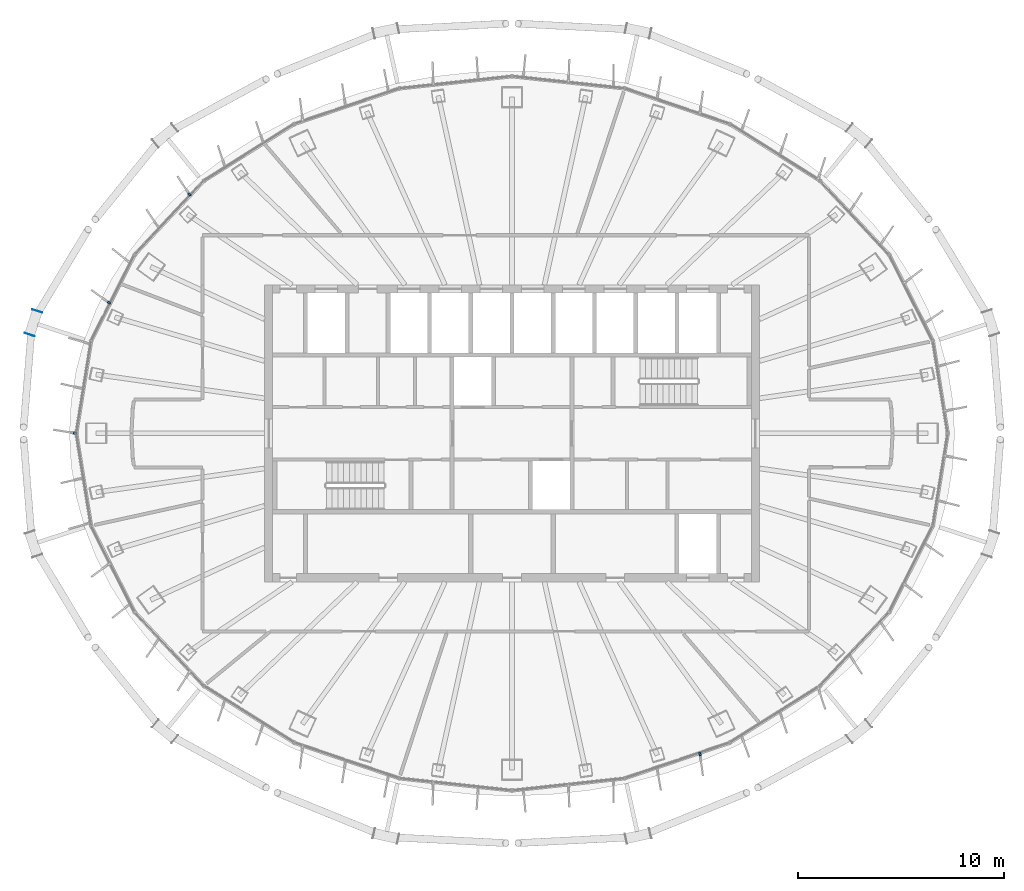
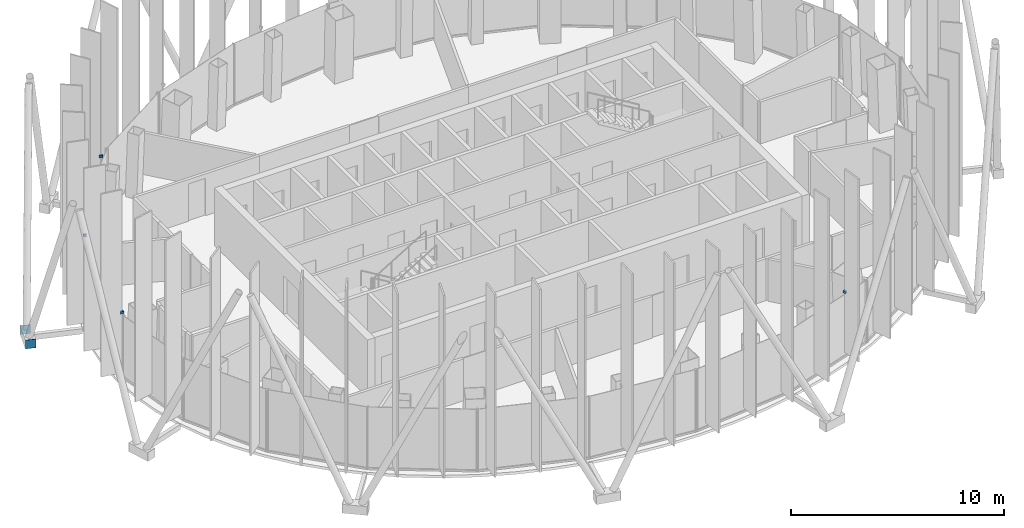
# One storey, part 13 of 19: 6 discrete accessories.
"""IFC4 building model written with IfcOpenShell, lengths in metres."""

from ifc_helpers import new_model, si_unit, direction, frame, origin, origin_2d, place, context, subcontext, project, spatial, rectangle, extrude, material, layer, layer_set, type_object, element, save


model = new_model("IFC4")

# Units and contexts
model_context = context("Model", 3, precision=1e-05, world=origin(), true_north=direction((0.0, 1.0)))
body_context = subcontext(model_context, "Body", "Model", "MODEL_VIEW")
ifc_project = project(units=[si_unit("LENGTHUNIT", "METRE"), si_unit("AREAUNIT", "SQUARE_METRE"), si_unit("VOLUMEUNIT", "CUBIC_METRE"), si_unit("PLANEANGLEUNIT", "RADIAN"), si_unit("MASSUNIT", "GRAM", prefix="KILO")], contexts=[model_context])

# Site, building, storey
site_placement = place(None, origin())
site = spatial("IfcSite", under=ifc_project, at=site_placement, CompositionType="ELEMENT")
building_placement = place(site_placement, origin())
building = spatial("IfcBuilding", under=site, at=building_placement, Name="Siaravel Broadcast Tower", CompositionType="ELEMENT")
storey_placement = place(building_placement, frame((0.0, 0.0, 239.300048828125)))
storey = spatial("IfcBuildingStorey", under=building, at=storey_placement, Name="L58", CompositionType="ELEMENT", Elevation=239.300048828125)

# Discrete accessories
ifc_material_1 = material(Name="Stainless steel 316", Category="steel")
discrete_accessory_type_1 = type_object("IfcDiscreteAccessoryType", Name="Stainless steel fin bracket", PredefinedType="USERDEFINED", material=ifc_material_1)
for number, where, z_axis, x_axis, name in (
    (1, (-15.632568359375, 11.57763671875, 3.6748046875), (0.0, 0.0, 1.0), (-0.729806802, 0.683653445, 0.0), "Fin bracket L58-22"),
    (2, (-19.529296875, 6.33154296875, 3.6748046875), (0.0, 0.0, 1.0), (-0.892392939, 0.451259174, 0.0), "Fin bracket L58-25"),
    (3, (-21.177001953125, 0.009521484375, 3.6748046875), (0.0, 0.0, 1.0), (-0.987329198, 0.158685394, 0.0), "Fin bracket L58-28"),
    (4, (9.10888671875, -15.544189453125, 3.6748046875), (0.0, 0.0, 1.0), (0.321302287, -0.946976684, 0.0), "Fin bracket L58-46"),
):
    element("IfcDiscreteAccessory", number, at=place(storey_placement, frame(where, z_axis=z_axis, x_axis=x_axis)), inside=storey, type_object=discrete_accessory_type_1, Name=name, ObjectType="BRACKET", PredefinedType="USERDEFINED", context=body_context, shape_type="SweptSolid", body=[
        extrude(rectangle(XDim=0.159912109375, YDim=0.10009765625, at=origin_2d()), origin(), (0.0, 0.0, 1.0), 0.139892578125),
    ])
ifc_material_2 = material(Name="Steel S355", Category="steel")
ifc_layer = layer(ifc_material_2, 0.02001953125)
ifc_layer_set = layer_set([ifc_layer], Name="Steel S355")
discrete_accessory_type_2 = type_object("IfcDiscreteAccessoryType", Name="Steel end plate 20 mm", PredefinedType="USERDEFINED", material=ifc_layer_set)
for number, where, z_axis, x_axis, name in (
    (5, (-23.3798828125, 4.78271484375, -0.449951171875), (0.0, 0.0, 1.0), (-0.310908675, -0.950439791, 0.0), "End plate R24 station 33A"),
    (6, (-23.004638671875, 5.9296875, -0.449951171875), (0.0, 0.0, 1.0), (-0.310908675, -0.950439791, 0.0), "End plate R24 station 33B"),
):
    element("IfcDiscreteAccessory", number, at=place(storey_placement, frame(where, z_axis=z_axis, x_axis=x_axis)), inside=storey, type_object=discrete_accessory_type_2, Name=name, ObjectType="END PLATE", PredefinedType="USERDEFINED", context=body_context, shape_type="SweptSolid", body=[
        extrude(rectangle(XDim=0.02001953125, YDim=0.5, at=origin_2d()), origin(), (0.0, 0.0, 1.0), 0.5),
    ])

save(model, "model.ifc")
